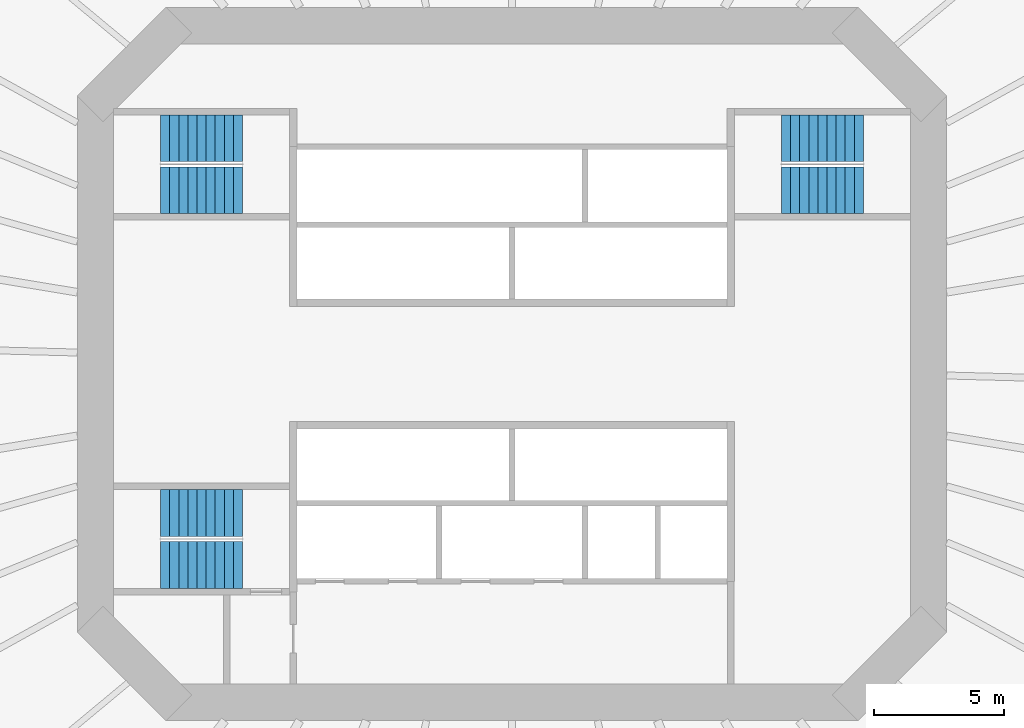
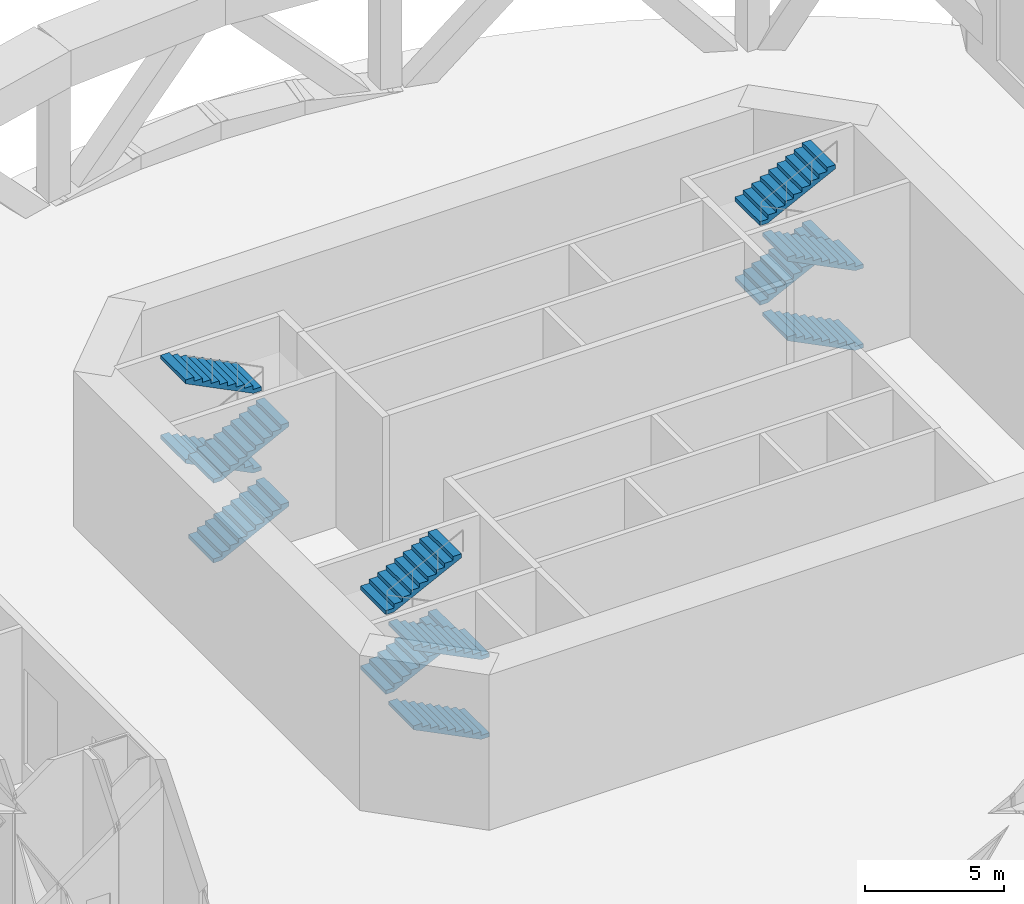
# One storey, part 12 of 13: 12 stair flights, 3 elements without a shape of their own.
"""IFC4 building model written with IfcOpenShell, lengths in metres."""

from ifc_helpers import new_model, si_unit, direction, frame, origin, place, context, subcontext, project, spatial, polyline, outline, extrude, material, type_object, element, aggregate, save


model = new_model("IFC4")

# Units and contexts
model_context = context("Model", 3, precision=1e-05, world=origin(), true_north=direction((0.0, 1.0)))
body_context = subcontext(model_context, "Body", "Model", "MODEL_VIEW")
ifc_project = project(units=[si_unit("LENGTHUNIT", "METRE"), si_unit("AREAUNIT", "SQUARE_METRE"), si_unit("VOLUMEUNIT", "CUBIC_METRE"), si_unit("PLANEANGLEUNIT", "RADIAN"), si_unit("MASSUNIT", "GRAM", prefix="KILO")], contexts=[model_context])

# Site, building, storey
site_placement = place(None, origin())
site = spatial("IfcSite", under=ifc_project, at=site_placement, CompositionType="ELEMENT")
building_placement = place(site_placement, origin())
building = spatial("IfcBuilding", under=site, at=building_placement, Name="Marenthal Gate Tower", CompositionType="ELEMENT")
storey_placement = place(building_placement, frame((0.0, 0.0, 26.0)))
storey = spatial("IfcBuildingStorey", under=building, at=storey_placement, Name="L03", CompositionType="ELEMENT", Elevation=26.0)

# Stair, stair flights
ifc_material_1 = material(Name="Concrete 40 MPa", Category="concrete")
stair_type = type_object("IfcStairType", Name="Exit stair 1800", PredefinedType="HALF_TURN_STAIR", material=ifc_material_1)
stair_1_placement = place(storey_placement, origin())
stair_1 = element("IfcStair", 1, at=stair_1_placement, inside=storey, type_object=stair_type, Name="Stair ST1", PredefinedType="HALF_TURN_STAIR")
ifc_material_2 = material(Name="Concrete 40 MPa", Category="concrete")
stair_flight_type = type_object("IfcStairFlightType", Name="Stair flight 1800", PredefinedType="STRAIGHT", material=ifc_material_2)
stair_flight_1_placement = place(storey_placement, frame((-13.5, 6.675048828125, 0.0), z_axis=(0.0, 0.0, 1.0), x_axis=(1.0, 0.0, 0.0)))
stair_flight_1 = element("IfcStairFlight", 2, at=stair_flight_1_placement, type_object=stair_flight_type, Name="ST1 flight 1", NumberOfRisers=10, NumberOfTreads=9, PredefinedType="STRAIGHT", RiserHeight=0.175, TreadLength=0.35, context=body_context, shape_type="SweptSolid", body=[
    extrude(outline(polyline([(0.0, 0.0), (0.0, 0.175048828125), (0.35009765625, 0.175048828125), (0.35009765625, 0.35009765625), (0.699951171875, 0.35009765625), (0.699951171875, 0.52490234375), (1.050048828125, 0.52490234375), (1.050048828125, 0.699951171875), (1.39990234375, 0.699951171875), (1.39990234375, 0.875), (1.75, 0.875), (1.75, 1.050048828125), (2.10009765625, 1.050048828125), (2.10009765625, 1.22509765625), (2.449951171875, 1.22509765625), (2.449951171875, 1.39990234375), (2.800048828125, 1.39990234375), (2.800048828125, 1.574951171875), (3.14990234375, 1.574951171875), (3.14990234375, 1.75), (3.14990234375, 1.407470703125), (0.335205078125, 0.0), (0.0, 0.0)])), frame((0.0, 0.89990234375, 0.0), z_axis=(0.0, -1.0, 0.0), x_axis=(1.0, 0.0, 0.0)), (0.0, 0.0, 1.0), 1.800048828125),
])
stair_flight_2_placement = place(storey_placement, frame((-10.35009765625, 8.675048828125, 1.75), z_axis=(0.0, 0.0, 1.0), x_axis=(-1.0, 0.0, 0.0)))
stair_flight_2 = element("IfcStairFlight", 3, at=stair_flight_2_placement, type_object=stair_flight_type, Name="ST1 flight 2", NumberOfRisers=10, NumberOfTreads=9, PredefinedType="STRAIGHT", RiserHeight=0.175, TreadLength=0.35, context=body_context, shape_type="SweptSolid", body=[
    extrude(outline(polyline([(0.0, 0.0), (0.0, 0.175048828125), (0.35009765625, 0.175048828125), (0.35009765625, 0.35009765625), (0.699951171875, 0.35009765625), (0.699951171875, 0.52490234375), (1.050048828125, 0.52490234375), (1.050048828125, 0.699951171875), (1.39990234375, 0.699951171875), (1.39990234375, 0.875), (1.75, 0.875), (1.75, 1.050048828125), (2.10009765625, 1.050048828125), (2.10009765625, 1.22509765625), (2.449951171875, 1.22509765625), (2.449951171875, 1.39990234375), (2.800048828125, 1.39990234375), (2.800048828125, 1.574951171875), (3.14990234375, 1.574951171875), (3.14990234375, 1.75), (3.14990234375, 1.407470703125), (0.335205078125, 0.0), (0.0, 0.0)])), frame((0.0, 0.89990234375, 0.0), z_axis=(0.0, -1.0, 0.0), x_axis=(1.0, 0.0, 0.0)), (0.0, 0.0, 1.0), 1.800048828125),
])
stair_flight_3_placement = place(storey_placement, frame((-13.5, 6.675048828125, 3.5), z_axis=(0.0, 0.0, 1.0), x_axis=(1.0, 0.0, 0.0)))
stair_flight_3 = element("IfcStairFlight", 4, at=stair_flight_3_placement, type_object=stair_flight_type, Name="ST1 flight 3", NumberOfRisers=10, NumberOfTreads=9, PredefinedType="STRAIGHT", RiserHeight=0.175, TreadLength=0.35, context=body_context, shape_type="SweptSolid", body=[
    extrude(outline(polyline([(0.0, 0.0), (0.0, 0.175048828125), (0.35009765625, 0.175048828125), (0.35009765625, 0.35009765625), (0.699951171875, 0.35009765625), (0.699951171875, 0.52490234375), (1.050048828125, 0.52490234375), (1.050048828125, 0.699951171875), (1.39990234375, 0.699951171875), (1.39990234375, 0.875), (1.75, 0.875), (1.75, 1.050048828125), (2.10009765625, 1.050048828125), (2.10009765625, 1.22509765625), (2.449951171875, 1.22509765625), (2.449951171875, 1.39990234375), (2.800048828125, 1.39990234375), (2.800048828125, 1.574951171875), (3.14990234375, 1.574951171875), (3.14990234375, 1.75), (3.14990234375, 1.407470703125), (0.335205078125, 0.0), (0.0, 0.0)])), frame((0.0, 0.89990234375, 0.0), z_axis=(0.0, -1.0, 0.0), x_axis=(1.0, 0.0, 0.0)), (0.0, 0.0, 1.0), 1.800048828125),
])
stair_flight_4_placement = place(storey_placement, frame((-10.35009765625, 8.675048828125, 5.25), z_axis=(0.0, 0.0, 1.0), x_axis=(-1.0, 0.0, 0.0)))
stair_flight_4 = element("IfcStairFlight", 5, at=stair_flight_4_placement, type_object=stair_flight_type, Name="ST1 flight 4", NumberOfRisers=10, NumberOfTreads=9, PredefinedType="STRAIGHT", RiserHeight=0.175, TreadLength=0.35, context=body_context, shape_type="SweptSolid", body=[
    extrude(outline(polyline([(0.0, 0.0), (0.0, 0.175048828125), (0.35009765625, 0.175048828125), (0.35009765625, 0.35009765625), (0.699951171875, 0.35009765625), (0.699951171875, 0.52490234375), (1.050048828125, 0.52490234375), (1.050048828125, 0.699951171875), (1.39990234375, 0.699951171875), (1.39990234375, 0.875), (1.75, 0.875), (1.75, 1.050048828125), (2.10009765625, 1.050048828125), (2.10009765625, 1.22509765625), (2.449951171875, 1.22509765625), (2.449951171875, 1.39990234375), (2.800048828125, 1.39990234375), (2.800048828125, 1.574951171875), (3.14990234375, 1.574951171875), (3.14990234375, 1.75), (3.14990234375, 1.407470703125), (0.335205078125, 0.0), (0.0, 0.0)])), frame((0.0, 0.89990234375, 0.0), z_axis=(0.0, -1.0, 0.0), x_axis=(1.0, 0.0, 0.0)), (0.0, 0.0, 1.0), 1.800048828125),
])
aggregate(stair_1, [stair_flight_1, stair_flight_2, stair_flight_3, stair_flight_4])

stair_2_placement = place(storey_placement, origin())
stair_2 = element("IfcStair", 6, at=stair_2_placement, inside=storey, type_object=stair_type, Name="Stair ST2", PredefinedType="HALF_TURN_STAIR")
stair_flight_5_placement = place(storey_placement, frame((-10.35009765625, -7.72509765625, 0.0), z_axis=(0.0, 0.0, 1.0), x_axis=(-1.0, 0.0, 0.0)))
stair_flight_5 = element("IfcStairFlight", 7, at=stair_flight_5_placement, type_object=stair_flight_type, Name="ST2 flight 1", NumberOfRisers=10, NumberOfTreads=9, PredefinedType="STRAIGHT", RiserHeight=0.175, TreadLength=0.35, context=body_context, shape_type="SweptSolid", body=[
    extrude(outline(polyline([(0.0, 0.0), (0.0, 0.175048828125), (0.35009765625, 0.175048828125), (0.35009765625, 0.35009765625), (0.699951171875, 0.35009765625), (0.699951171875, 0.52490234375), (1.050048828125, 0.52490234375), (1.050048828125, 0.699951171875), (1.39990234375, 0.699951171875), (1.39990234375, 0.875), (1.75, 0.875), (1.75, 1.050048828125), (2.10009765625, 1.050048828125), (2.10009765625, 1.22509765625), (2.449951171875, 1.22509765625), (2.449951171875, 1.39990234375), (2.800048828125, 1.39990234375), (2.800048828125, 1.574951171875), (3.14990234375, 1.574951171875), (3.14990234375, 1.75), (3.14990234375, 1.407470703125), (0.335205078125, 0.0), (0.0, 0.0)])), frame((0.0, 0.89990234375, 0.0), z_axis=(0.0, -1.0, 0.0), x_axis=(1.0, 0.0, 0.0)), (0.0, 0.0, 1.0), 1.800048828125),
])
stair_flight_6_placement = place(storey_placement, frame((-13.5, -5.72509765625, 1.75), z_axis=(0.0, 0.0, 1.0), x_axis=(1.0, 0.0, 0.0)))
stair_flight_6 = element("IfcStairFlight", 8, at=stair_flight_6_placement, type_object=stair_flight_type, Name="ST2 flight 2", NumberOfRisers=10, NumberOfTreads=9, PredefinedType="STRAIGHT", RiserHeight=0.175, TreadLength=0.35, context=body_context, shape_type="SweptSolid", body=[
    extrude(outline(polyline([(0.0, 0.0), (0.0, 0.175048828125), (0.35009765625, 0.175048828125), (0.35009765625, 0.35009765625), (0.699951171875, 0.35009765625), (0.699951171875, 0.52490234375), (1.050048828125, 0.52490234375), (1.050048828125, 0.699951171875), (1.39990234375, 0.699951171875), (1.39990234375, 0.875), (1.75, 0.875), (1.75, 1.050048828125), (2.10009765625, 1.050048828125), (2.10009765625, 1.22509765625), (2.449951171875, 1.22509765625), (2.449951171875, 1.39990234375), (2.800048828125, 1.39990234375), (2.800048828125, 1.574951171875), (3.14990234375, 1.574951171875), (3.14990234375, 1.75), (3.14990234375, 1.407470703125), (0.335205078125, 0.0), (0.0, 0.0)])), frame((0.0, 0.89990234375, 0.0), z_axis=(0.0, -1.0, 0.0), x_axis=(1.0, 0.0, 0.0)), (0.0, 0.0, 1.0), 1.800048828125),
])
stair_flight_7_placement = place(storey_placement, frame((-10.35009765625, -7.72509765625, 3.5), z_axis=(0.0, 0.0, 1.0), x_axis=(-1.0, 0.0, 0.0)))
stair_flight_7 = element("IfcStairFlight", 9, at=stair_flight_7_placement, type_object=stair_flight_type, Name="ST2 flight 3", NumberOfRisers=10, NumberOfTreads=9, PredefinedType="STRAIGHT", RiserHeight=0.175, TreadLength=0.35, context=body_context, shape_type="SweptSolid", body=[
    extrude(outline(polyline([(0.0, 0.0), (0.0, 0.175048828125), (0.35009765625, 0.175048828125), (0.35009765625, 0.35009765625), (0.699951171875, 0.35009765625), (0.699951171875, 0.52490234375), (1.050048828125, 0.52490234375), (1.050048828125, 0.699951171875), (1.39990234375, 0.699951171875), (1.39990234375, 0.875), (1.75, 0.875), (1.75, 1.050048828125), (2.10009765625, 1.050048828125), (2.10009765625, 1.22509765625), (2.449951171875, 1.22509765625), (2.449951171875, 1.39990234375), (2.800048828125, 1.39990234375), (2.800048828125, 1.574951171875), (3.14990234375, 1.574951171875), (3.14990234375, 1.75), (3.14990234375, 1.407470703125), (0.335205078125, 0.0), (0.0, 0.0)])), frame((0.0, 0.89990234375, 0.0), z_axis=(0.0, -1.0, 0.0), x_axis=(1.0, 0.0, 0.0)), (0.0, 0.0, 1.0), 1.800048828125),
])
stair_flight_8_placement = place(storey_placement, frame((-13.5, -5.72509765625, 5.25), z_axis=(0.0, 0.0, 1.0), x_axis=(1.0, 0.0, 0.0)))
stair_flight_8 = element("IfcStairFlight", 10, at=stair_flight_8_placement, type_object=stair_flight_type, Name="ST2 flight 4", NumberOfRisers=10, NumberOfTreads=9, PredefinedType="STRAIGHT", RiserHeight=0.175, TreadLength=0.35, context=body_context, shape_type="SweptSolid", body=[
    extrude(outline(polyline([(0.0, 0.0), (0.0, 0.175048828125), (0.35009765625, 0.175048828125), (0.35009765625, 0.35009765625), (0.699951171875, 0.35009765625), (0.699951171875, 0.52490234375), (1.050048828125, 0.52490234375), (1.050048828125, 0.699951171875), (1.39990234375, 0.699951171875), (1.39990234375, 0.875), (1.75, 0.875), (1.75, 1.050048828125), (2.10009765625, 1.050048828125), (2.10009765625, 1.22509765625), (2.449951171875, 1.22509765625), (2.449951171875, 1.39990234375), (2.800048828125, 1.39990234375), (2.800048828125, 1.574951171875), (3.14990234375, 1.574951171875), (3.14990234375, 1.75), (3.14990234375, 1.407470703125), (0.335205078125, 0.0), (0.0, 0.0)])), frame((0.0, 0.89990234375, 0.0), z_axis=(0.0, -1.0, 0.0), x_axis=(1.0, 0.0, 0.0)), (0.0, 0.0, 1.0), 1.800048828125),
])
aggregate(stair_2, [stair_flight_5, stair_flight_6, stair_flight_7, stair_flight_8])

stair_3_placement = place(storey_placement, origin())
stair_3 = element("IfcStair", 11, at=stair_3_placement, inside=storey, type_object=stair_type, Name="Stair ST3", PredefinedType="HALF_TURN_STAIR")
stair_flight_9_placement = place(storey_placement, frame((13.5, 6.675048828125, 0.0), z_axis=(0.0, 0.0, 1.0), x_axis=(-1.0, 0.0, 0.0)))
stair_flight_9 = element("IfcStairFlight", 12, at=stair_flight_9_placement, type_object=stair_flight_type, Name="ST3 flight 1", NumberOfRisers=10, NumberOfTreads=9, PredefinedType="STRAIGHT", RiserHeight=0.175, TreadLength=0.35, context=body_context, shape_type="SweptSolid", body=[
    extrude(outline(polyline([(0.0, 0.0), (0.0, 0.175048828125), (0.35009765625, 0.175048828125), (0.35009765625, 0.35009765625), (0.699951171875, 0.35009765625), (0.699951171875, 0.52490234375), (1.050048828125, 0.52490234375), (1.050048828125, 0.699951171875), (1.39990234375, 0.699951171875), (1.39990234375, 0.875), (1.75, 0.875), (1.75, 1.050048828125), (2.10009765625, 1.050048828125), (2.10009765625, 1.22509765625), (2.449951171875, 1.22509765625), (2.449951171875, 1.39990234375), (2.800048828125, 1.39990234375), (2.800048828125, 1.574951171875), (3.14990234375, 1.574951171875), (3.14990234375, 1.75), (3.14990234375, 1.407470703125), (0.335205078125, 0.0), (0.0, 0.0)])), frame((0.0, 0.89990234375, 0.0), z_axis=(0.0, -1.0, 0.0), x_axis=(1.0, 0.0, 0.0)), (0.0, 0.0, 1.0), 1.800048828125),
])
stair_flight_10_placement = place(storey_placement, frame((10.35009765625, 8.675048828125, 1.75), z_axis=(0.0, 0.0, 1.0), x_axis=(1.0, 0.0, 0.0)))
stair_flight_10 = element("IfcStairFlight", 13, at=stair_flight_10_placement, type_object=stair_flight_type, Name="ST3 flight 2", NumberOfRisers=10, NumberOfTreads=9, PredefinedType="STRAIGHT", RiserHeight=0.175, TreadLength=0.35, context=body_context, shape_type="SweptSolid", body=[
    extrude(outline(polyline([(0.0, 0.0), (0.0, 0.175048828125), (0.35009765625, 0.175048828125), (0.35009765625, 0.35009765625), (0.699951171875, 0.35009765625), (0.699951171875, 0.52490234375), (1.050048828125, 0.52490234375), (1.050048828125, 0.699951171875), (1.39990234375, 0.699951171875), (1.39990234375, 0.875), (1.75, 0.875), (1.75, 1.050048828125), (2.10009765625, 1.050048828125), (2.10009765625, 1.22509765625), (2.449951171875, 1.22509765625), (2.449951171875, 1.39990234375), (2.800048828125, 1.39990234375), (2.800048828125, 1.574951171875), (3.14990234375, 1.574951171875), (3.14990234375, 1.75), (3.14990234375, 1.407470703125), (0.335205078125, 0.0), (0.0, 0.0)])), frame((0.0, 0.89990234375, 0.0), z_axis=(0.0, -1.0, 0.0), x_axis=(1.0, 0.0, 0.0)), (0.0, 0.0, 1.0), 1.800048828125),
])
stair_flight_11_placement = place(storey_placement, frame((13.5, 6.675048828125, 3.5), z_axis=(0.0, 0.0, 1.0), x_axis=(-1.0, 0.0, 0.0)))
stair_flight_11 = element("IfcStairFlight", 14, at=stair_flight_11_placement, type_object=stair_flight_type, Name="ST3 flight 3", NumberOfRisers=10, NumberOfTreads=9, PredefinedType="STRAIGHT", RiserHeight=0.175, TreadLength=0.35, context=body_context, shape_type="SweptSolid", body=[
    extrude(outline(polyline([(0.0, 0.0), (0.0, 0.175048828125), (0.35009765625, 0.175048828125), (0.35009765625, 0.35009765625), (0.699951171875, 0.35009765625), (0.699951171875, 0.52490234375), (1.050048828125, 0.52490234375), (1.050048828125, 0.699951171875), (1.39990234375, 0.699951171875), (1.39990234375, 0.875), (1.75, 0.875), (1.75, 1.050048828125), (2.10009765625, 1.050048828125), (2.10009765625, 1.22509765625), (2.449951171875, 1.22509765625), (2.449951171875, 1.39990234375), (2.800048828125, 1.39990234375), (2.800048828125, 1.574951171875), (3.14990234375, 1.574951171875), (3.14990234375, 1.75), (3.14990234375, 1.407470703125), (0.335205078125, 0.0), (0.0, 0.0)])), frame((0.0, 0.89990234375, 0.0), z_axis=(0.0, -1.0, 0.0), x_axis=(1.0, 0.0, 0.0)), (0.0, 0.0, 1.0), 1.800048828125),
])
stair_flight_12_placement = place(storey_placement, frame((10.35009765625, 8.675048828125, 5.25), z_axis=(0.0, 0.0, 1.0), x_axis=(1.0, 0.0, 0.0)))
stair_flight_12 = element("IfcStairFlight", 15, at=stair_flight_12_placement, type_object=stair_flight_type, Name="ST3 flight 4", NumberOfRisers=10, NumberOfTreads=9, PredefinedType="STRAIGHT", RiserHeight=0.175, TreadLength=0.35, context=body_context, shape_type="SweptSolid", body=[
    extrude(outline(polyline([(0.0, 0.0), (0.0, 0.175048828125), (0.35009765625, 0.175048828125), (0.35009765625, 0.35009765625), (0.699951171875, 0.35009765625), (0.699951171875, 0.52490234375), (1.050048828125, 0.52490234375), (1.050048828125, 0.699951171875), (1.39990234375, 0.699951171875), (1.39990234375, 0.875), (1.75, 0.875), (1.75, 1.050048828125), (2.10009765625, 1.050048828125), (2.10009765625, 1.22509765625), (2.449951171875, 1.22509765625), (2.449951171875, 1.39990234375), (2.800048828125, 1.39990234375), (2.800048828125, 1.574951171875), (3.14990234375, 1.574951171875), (3.14990234375, 1.75), (3.14990234375, 1.407470703125), (0.335205078125, 0.0), (0.0, 0.0)])), frame((0.0, 0.89990234375, 0.0), z_axis=(0.0, -1.0, 0.0), x_axis=(1.0, 0.0, 0.0)), (0.0, 0.0, 1.0), 1.800048828125),
])
aggregate(stair_3, [stair_flight_9, stair_flight_10, stair_flight_11, stair_flight_12])

save(model, "model.ifc")
